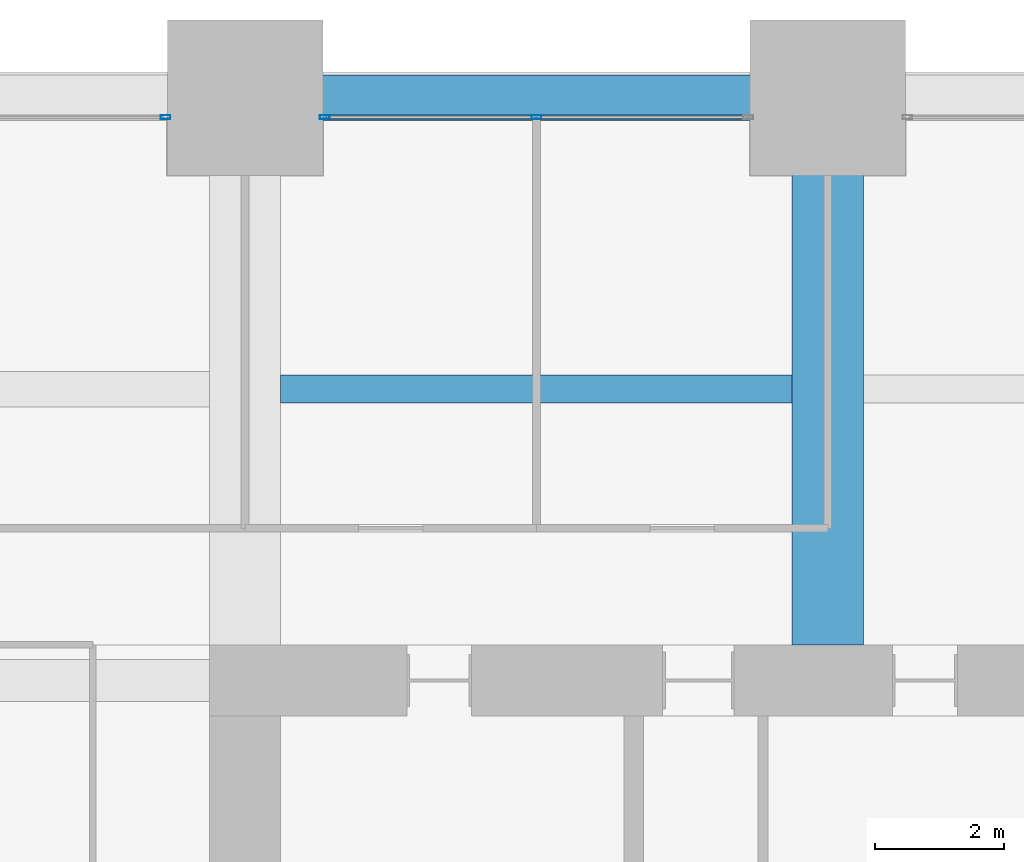
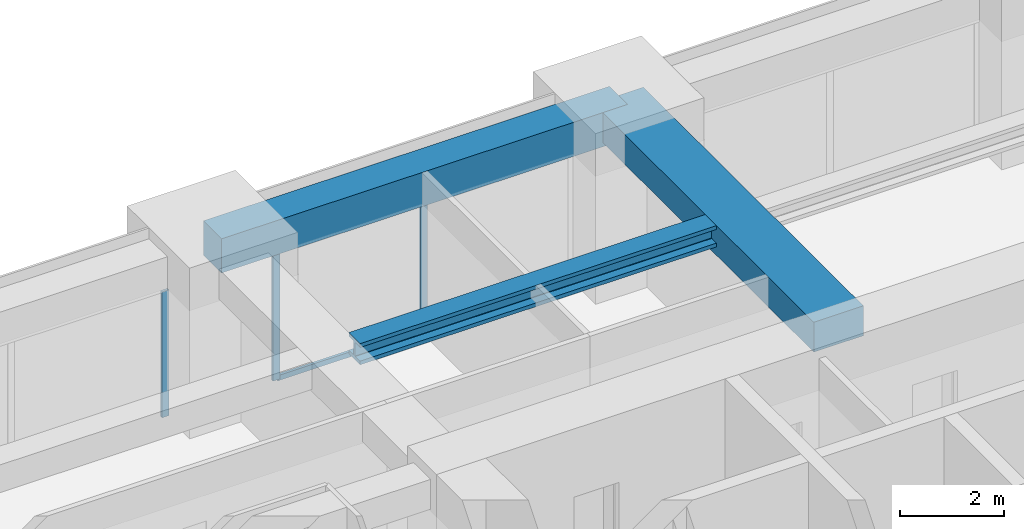
# One storey, part 28 of 41: 4 members, 3 beams, 2 elements without a shape of their own.
"""IFC4 building model written with IfcOpenShell, lengths in metres."""

import ifcopenshell
import ifcopenshell.guid

model = None  # the IFC model being written
_history = None  # IfcOwnerHistory: only IFC2X3 demands one
_inside = {}  # id of a spatial element -> (the spatial element, [elements in it])
_under = {}  # id of a project, library or spatial element -> (it, [spatial elements below it])
_declared = {}  # id of a project -> (the project, [libraries it declares])
_typed = {}  # id of a type object -> (the type object, [elements of that type])
_made_of = {}  # id of a material, layer set ... -> (it, [elements and type objects made of it])


def new_model(schema):
    """Start an empty IFC model of exactly this schema.

    Asked for "IFC4X3", IfcOpenShell would pick the latest addendum, in which some entities
    have other attributes; the version numbers below select the first issue.
    IFC2X3 requires an IfcOwnerHistory on every rooted entity: one is made here for all.
    """
    global model, _history
    if schema == "IFC4X3":
        model = ifcopenshell.file(schema_version=(4, 3, 0, 0))
    else:
        model = ifcopenshell.file(schema=schema)
    _inside.clear()
    _under.clear()
    _declared.clear()
    _typed.clear()
    _made_of.clear()
    _history = None
    if model.schema == "IFC2X3":
        org = make("IfcOrganization", Name="unknown")
        user = make(
            "IfcPersonAndOrganization",
            ThePerson=make("IfcPerson", FamilyName="unknown"),
            TheOrganization=org,
        )
        app = make(
            "IfcApplication",
            ApplicationDeveloper=org,
            Version="unknown",
            ApplicationFullName="unknown",
            ApplicationIdentifier="unknown",
        )
        _history = make(
            "IfcOwnerHistory",
            OwningUser=user,
            OwningApplication=app,
            ChangeAction="ADDED",
            CreationDate=0,
        )
    return model


def make(cls, **values):
    """One entity of the class cls with the attributes given. An attribute that is None is left unset."""
    return model.create_entity(
        cls, **{name: value for name, value in values.items() if value is not None}
    )


def rooted(cls, **values):
    """An entity with a GlobalId (a new one), such as an element, a storey or a relation."""
    return make(cls, GlobalId=ifcopenshell.guid.new(), OwnerHistory=_history, **values)


def si_unit(unit_type, name, prefix=None):
    """IfcSIUnit, for example si_unit("LENGTHUNIT", "METRE", prefix="MILLI")."""
    return make("IfcSIUnit", UnitType=unit_type, Prefix=prefix, Name=name)


def assignment(units):
    """IfcUnitAssignment: the units of a project."""
    return None if units is None else make("IfcUnitAssignment", Units=units)


def point(xyz):
    """IfcCartesianPoint."""
    return None if xyz is None else make("IfcCartesianPoint", Coordinates=xyz)


def direction(xyz):
    """IfcDirection."""
    return None if xyz is None else make("IfcDirection", DirectionRatios=xyz)


def frame(location, z_axis=None, x_axis=None):
    """IfcAxis2Placement3D, a coordinate frame: its origin and axes. An axis left out is left unset."""
    return make(
        "IfcAxis2Placement3D",
        Location=point(location),
        Axis=direction(z_axis),
        RefDirection=direction(x_axis),
    )


def frame_2d(location, x_axis=None):
    """IfcAxis2Placement2D, a coordinate frame in the plane: its origin and x axis."""
    return make(
        "IfcAxis2Placement2D", Location=point(location), RefDirection=direction(x_axis)
    )


def origin():
    """The frame at (0, 0, 0) with its axes left unset."""
    return frame((0.0, 0.0, 0.0))


def origin_2d():
    """The frame at (0, 0) in the plane with its x axis left unset."""
    return frame_2d((0.0, 0.0))


def place(relative_to, where):
    """IfcLocalPlacement: puts the frame where relative to a parent placement (None: the world)."""
    return make(
        "IfcLocalPlacement", PlacementRelTo=relative_to, RelativePlacement=where
    )


def context(
    kind, dimensions, precision=None, world=None, true_north=None, identifier=None
):
    """IfcGeometricRepresentationContext, for example the 3D "Model" context."""
    return make(
        "IfcGeometricRepresentationContext",
        ContextIdentifier=identifier,
        ContextType=kind,
        CoordinateSpaceDimension=dimensions,
        Precision=precision,
        WorldCoordinateSystem=world,
        TrueNorth=true_north,
    )


def subcontext(parent, identifier, kind, view, scale=None):
    """IfcGeometricRepresentationSubContext, for example "Body" below "Model"."""
    return make(
        "IfcGeometricRepresentationSubContext",
        ContextIdentifier=identifier,
        ContextType=kind,
        ParentContext=parent,
        TargetScale=scale,
        TargetView=view,
    )


def project(units=None, contexts=None):
    """IfcProject with its units and contexts."""
    return rooted(
        "IfcProject",
        Name="project",
        RepresentationContexts=contexts,
        UnitsInContext=assignment(units),
    )


def spatial(cls, under=None, at=None, **own):
    """A site, building, storey or space (cls), placed at a placement, below another one or the project."""
    s = rooted(cls, ObjectPlacement=at, **own)
    if under is not None:
        _under.setdefault(under.id(), (under, []))[1].append(s)
    return s


def profile(cls, at=None, kind="AREA", **sizes):
    """A parametric profile (cls). Its sizes go by their IFC names, for example OverallWidth=200.0."""
    return make(cls, ProfileType=kind, Position=at, **sizes)


def rectangle(**sizes):
    """IfcRectangleProfileDef."""
    return profile("IfcRectangleProfileDef", **sizes)


def hollow_rectangle(**sizes):
    """IfcRectangleHollowProfileDef."""
    return profile("IfcRectangleHollowProfileDef", **sizes)


def i_section(**sizes):
    """IfcIShapeProfileDef."""
    return profile("IfcIShapeProfileDef", **sizes)


def extrude(swept, where, along, depth):
    """IfcExtrudedAreaSolid: the profile swept, set in the frame where, extruded along a direction by depth."""
    return make(
        "IfcExtrudedAreaSolid",
        SweptArea=swept,
        Position=where,
        ExtrudedDirection=direction(along),
        Depth=depth,
    )


def shape(context_of_items, identifier, shape_type, items):
    """IfcShapeRepresentation: the items that make up one representation, for example the "Body"."""
    return make(
        "IfcShapeRepresentation",
        ContextOfItems=context_of_items,
        RepresentationIdentifier=identifier,
        RepresentationType=shape_type,
        Items=items,
    )


def material(Name=None, Category=None):
    """IfcMaterial."""
    return make("IfcMaterial", Name=Name, Category=Category)


def material_profile(
    of_material, cross_section, Name=None, Category=None, Priority=None
):
    """IfcMaterialProfile: a cross section and its material."""
    return make(
        "IfcMaterialProfile",
        Name=Name,
        Material=of_material,
        Profile=cross_section,
        Priority=Priority,
        Category=Category,
    )


def profile_set(profiles, Name=None, composite=None):
    """IfcMaterialProfileSet."""
    return make(
        "IfcMaterialProfileSet",
        Name=Name,
        MaterialProfiles=profiles,
        CompositeProfile=composite,
    )


def made_of(thing, what):
    """Note that an element or type object is made of a material, layer set ...; save() writes the relation."""
    if what is not None:
        _made_of.setdefault(what.id(), (what, []))[1].append(thing)
    return thing


def type_object(cls, material=None, **own):
    """A type object (cls), such as IfcWallType, which elements share."""
    return made_of(rooted(cls, **own), material)


def element(
    cls,
    number,
    at=None,
    inside=None,
    cuts=None,
    type_object=None,
    material=None,
    context=None,
    identifier="Body",
    shape_type=None,
    held_by="IfcProductDefinitionShape",
    body=None,
    shapes=None,
    **own,
):
    """One element of the class cls, such as IfcWall. Its Tag is "e" and its number.

    at: its placement. inside: the storey or other place that contains it. cuts: it is an
    opening in that element (IfcRelVoidsElement). A single representation is given by context,
    identifier, shape_type and body (its items); several are given by shapes. held_by: the class
    of the entity that holds the representations. save() writes the other relations.
    """
    e = rooted(cls, Tag="e%d" % number, ObjectPlacement=at, **own)
    if body is not None:
        shapes = [shape(context, identifier, shape_type, body)]
    if shapes is not None:
        e.Representation = make(held_by, Representations=shapes)
    if inside is not None:
        _inside.setdefault(inside.id(), (inside, []))[1].append(e)
    if cuts is not None:
        rooted(
            "IfcRelVoidsElement", RelatingBuildingElement=cuts, RelatedOpeningElement=e
        )
    if type_object is not None:
        _typed.setdefault(type_object.id(), (type_object, []))[1].append(e)
    return made_of(e, material)


def aggregate(whole, parts):
    """IfcRelAggregates: a whole, such as a stair, and the parts it consists of."""
    return rooted("IfcRelAggregates", RelatingObject=whole, RelatedObjects=parts)


def save(model, path):
    """Write the relations noted so far, then the file.

    IfcRelAggregates (storeys below a building ...), IfcRelContainedInSpatialStructure (elements
    in a storey), IfcRelDefinesByType, IfcRelAssociatesMaterial and IfcRelDeclares: one each for
    every whole, place, type object, material and project.
    """
    for whole, parts in _under.values():
        aggregate(whole, parts)
    for where, things in _inside.values():
        rooted(
            "IfcRelContainedInSpatialStructure",
            RelatedElements=things,
            RelatingStructure=where,
        )
    for kind, things in _typed.values():
        rooted("IfcRelDefinesByType", RelatedObjects=things, RelatingType=kind)
    for what, things in _made_of.values():
        rooted("IfcRelAssociatesMaterial", RelatedObjects=things, RelatingMaterial=what)
    for by, libraries in _declared.values():
        rooted("IfcRelDeclares", RelatingContext=by, RelatedDefinitions=libraries)
    model.write(path)


model = new_model("IFC4")

# Units and contexts
model_context = context("Model", 3, precision=1e-05, world=origin(), true_north=direction((0.0, 1.0)))
body_context = subcontext(model_context, "Body", "Model", "MODEL_VIEW")
ifc_project = project(units=[si_unit("LENGTHUNIT", "METRE"), si_unit("AREAUNIT", "SQUARE_METRE"), si_unit("VOLUMEUNIT", "CUBIC_METRE"), si_unit("PLANEANGLEUNIT", "RADIAN"), si_unit("MASSUNIT", "GRAM", prefix="KILO")], contexts=[model_context])

# Site, building, storey
site_placement = place(None, origin())
site = spatial("IfcSite", under=ifc_project, at=site_placement, CompositionType="ELEMENT")
building_placement = place(site_placement, origin())
building = spatial("IfcBuilding", under=site, at=building_placement, Name="Zorevar Civic Tower", CompositionType="ELEMENT")
storey_placement = place(building_placement, frame((0.0, 0.0, 101.0)))
storey = spatial("IfcBuildingStorey", under=building, at=storey_placement, Name="L24", CompositionType="ELEMENT", Elevation=101.0)

# Beam
ifc_material_1 = material(Name="Concrete C50/60", Category="concrete")
ifc_material_profile_1 = material_profile(ifc_material_1, rectangle(XDim=1.10009765625, YDim=0.699951171875, at=origin_2d()), Name="RC 1100x700")
ifc_profile_set_1 = profile_set([ifc_material_profile_1], Name="Concrete C50/60")
beam_type_1 = type_object("IfcBeamType", Name="Beam RC 1100x700", PredefinedType="BEAM", material=ifc_profile_set_1)
beam_1_placement = place(storey_placement, frame((27.0, 36.550048828125, 3.39990234375), z_axis=(0.0, 1.0, 0.0), x_axis=(-1.0, 0.0, 0.0)))
element("IfcBeam", 1, at=beam_1_placement, inside=storey, type_object=beam_type_1, Name="Girder L25", PredefinedType="BEAM", context=body_context, shape_type="SweptSolid", body=[
    extrude(rectangle(XDim=1.10009765625, YDim=0.699951171875, at=origin_2d()), origin(), (0.0, 0.0, 1.0), 8.449951171875),
])

# Curtain wall, member
ifc_material_2 = material(Name="Dark grey solar-control glass in black aluminium frame", Category="aluminium")
curtain_wall_type = type_object("IfcCurtainWallType", Name="Curtain wall CW3 mid zone", PredefinedType="NOTDEFINED", material=ifc_material_2)
curtain_wall_1_placement = place(storey_placement, origin())
curtain_wall_1 = element("IfcCurtainWall", 2, at=curtain_wall_1_placement, inside=storey, type_object=curtain_wall_type, Name="CW3 L24", PredefinedType="NOTDEFINED")
ifc_material_3 = material(Name="Aluminium, black anodised", Category="aluminium")
ifc_material_profile_2 = material_profile(ifc_material_3, hollow_rectangle(XDim=0.06005859375, YDim=0.14990234375, WallThickness=0.00390625, at=origin_2d()), Name="AL 150x60x4")
ifc_profile_set_2 = profile_set([ifc_material_profile_2], Name="Aluminium, black anodised")
member_type_1 = type_object("IfcMemberType", Name="CW3 mullion AL 150x60x4", PredefinedType="MULLION", material=ifc_profile_set_2)
member_1_placement = place(storey_placement, frame((16.77001953125, 44.699951171875, 0.0), z_axis=(0.0, 0.0, 1.0), x_axis=(0.0, 1.0, 0.0)))
member_1 = element("IfcMember", 3, at=member_1_placement, type_object=member_type_1, Name="CW3 mullion 3", PredefinedType="MULLION", context=body_context, shape_type="SweptSolid", body=[
    extrude(hollow_rectangle(XDim=0.06005859375, YDim=0.14990234375, WallThickness=0.00390625, at=origin_2d()), origin(), (0.0, 0.0, 1.0), 2.949951171875),
])
aggregate(curtain_wall_1, [member_1])

# Curtain wall, members
curtain_wall_2_placement = place(storey_placement, origin())
curtain_wall_2 = element("IfcCurtainWall", 4, at=curtain_wall_2_placement, inside=storey, type_object=curtain_wall_type, Name="CW3 L24", PredefinedType="NOTDEFINED")
member_2_placement = place(storey_placement, frame((19.22998046875, 44.699951171875, 0.0), z_axis=(0.0, 0.0, 1.0), x_axis=(0.0, 1.0, 0.0)))
member_2 = element("IfcMember", 5, at=member_2_placement, type_object=member_type_1, Name="CW3 mullion 1", PredefinedType="MULLION", context=body_context, shape_type="SweptSolid", body=[
    extrude(hollow_rectangle(XDim=0.06005859375, YDim=0.14990234375, WallThickness=0.00390625, at=origin_2d()), origin(), (0.0, 0.0, 1.0), 2.949951171875),
])
member_3_placement = place(storey_placement, frame((22.5, 44.699951171875, 0.06005859375), z_axis=(0.0, 0.0, 1.0), x_axis=(0.0, 1.0, 0.0)))
member_3 = element("IfcMember", 6, at=member_3_placement, type_object=member_type_1, Name="CW3 mullion 2", PredefinedType="MULLION", context=body_context, shape_type="SweptSolid", body=[
    extrude(hollow_rectangle(XDim=0.06005859375, YDim=0.14990234375, WallThickness=0.00390625, at=origin_2d()), origin(), (0.0, 0.0, 1.0), 2.889892578125),
])
ifc_material_4 = material(Name="Aluminium, black anodised", Category="aluminium")
ifc_material_profile_3 = material_profile(ifc_material_4, hollow_rectangle(XDim=0.06005859375, YDim=0.1201171875, WallThickness=0.0029296875, at=origin_2d()), Name="AL 120x60x3")
ifc_profile_set_3 = profile_set([ifc_material_profile_3], Name="Aluminium, black anodised")
member_type_2 = type_object("IfcMemberType", Name="CW3 transom AL 120x60x3", PredefinedType="USERDEFINED", material=ifc_profile_set_3)
member_4_placement = place(storey_placement, frame((19.260009765625, 44.699951171875, 0.030029296875), z_axis=(1.0, 0.0, 0.0), x_axis=(0.0, 1.0, 0.0)))
member_4 = element("IfcMember", 7, at=member_4_placement, type_object=member_type_2, Name="CW3 sill transom", ObjectType="TRANSOM", PredefinedType="USERDEFINED", context=body_context, shape_type="SweptSolid", body=[
    extrude(hollow_rectangle(XDim=0.06005859375, YDim=0.1201171875, WallThickness=0.0029296875, at=origin_2d()), origin(), (0.0, 0.0, 1.0), 6.47998046875),
])
aggregate(curtain_wall_2, [member_2, member_3, member_4])

# Beams
ifc_material_5 = material(Name="Steel S460M (HISTAR 460)", Category="steel")
ifc_material_profile_4 = material_profile(ifc_material_5, i_section(OverallWidth=0.431884765625, OverallDepth=0.498046875, WebThickness=0.0556640625, FlangeThickness=0.0888671875, FilletRadius=0.014892578125, at=origin_2d()), Name="HD 400x744")
ifc_profile_set_4 = profile_set([ifc_material_profile_4], Name="Steel S460M (HISTAR 460)")
beam_type_2 = type_object("IfcBeamType", Name="Core bay beam HD 400x744", PredefinedType="BEAM", material=ifc_profile_set_4)
beam_2_placement = place(storey_placement, frame((18.550048828125, 40.5, 3.5009765625), z_axis=(1.0, 0.0, 0.0), x_axis=(0.0, 1.0, 0.0)))
element("IfcBeam", 8, at=beam_2_placement, inside=storey, type_object=beam_type_2, Name="Secondary beam L25", PredefinedType="BEAM", context=body_context, shape_type="SweptSolid", body=[
    extrude(i_section(OverallWidth=0.431884765625, OverallDepth=0.498046875, WebThickness=0.0556640625, FlangeThickness=0.0888671875, FilletRadius=0.014892578125, at=origin_2d()), origin(), (0.0, 0.0, 1.0), 7.89990234375),
])
ifc_material_6 = material(Name="Concrete C50/60", Category="concrete")
ifc_material_profile_5 = material_profile(ifc_material_6, rectangle(XDim=0.699951171875, YDim=0.800048828125, at=origin_2d()), Name="RC 700x800")
ifc_profile_set_5 = profile_set([ifc_material_profile_5], Name="Concrete C50/60")
beam_type_3 = type_object("IfcBeamType", Name="Edge beam RC 700x800", PredefinedType="SPANDREL", material=ifc_profile_set_5)
beam_3_placement = place(storey_placement, frame((18.0, 45.0, 3.35009765625), z_axis=(1.0, 0.0, 0.0), x_axis=(0.0, 1.0, 0.0)))
element("IfcBeam", 9, at=beam_3_placement, inside=storey, type_object=beam_type_3, Name="Edge beam L25", PredefinedType="SPANDREL", context=body_context, shape_type="SweptSolid", body=[
    extrude(rectangle(XDim=0.699951171875, YDim=0.800048828125, at=origin_2d()), origin(), (0.0, 0.0, 1.0), 9.0),
])

save(model, "model.ifc")
